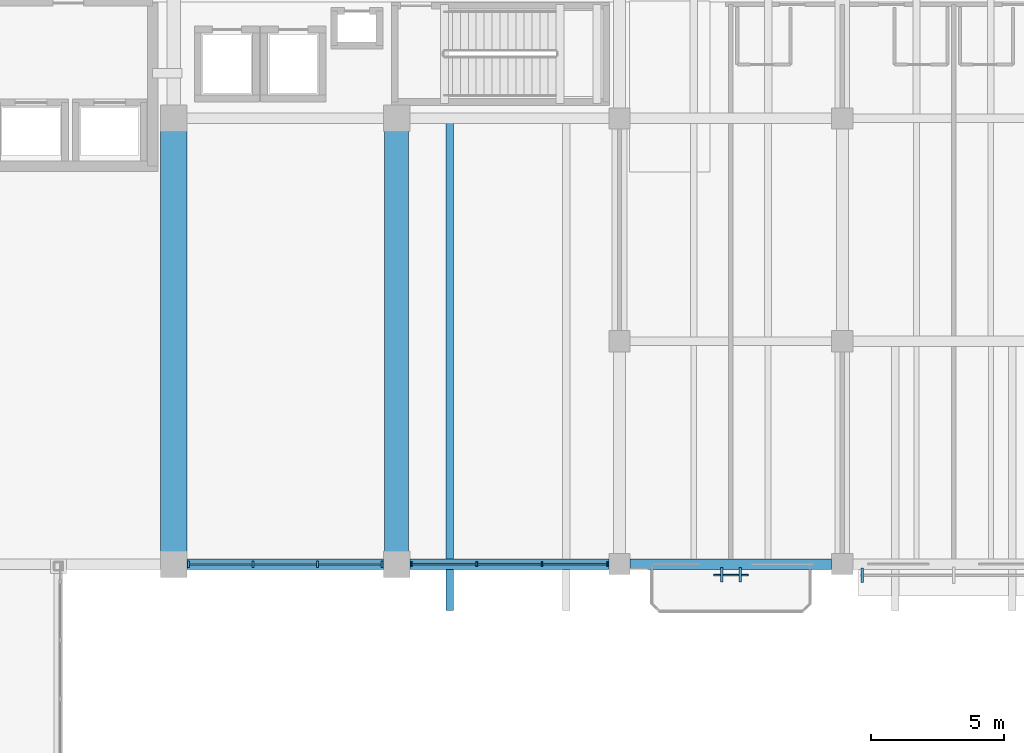
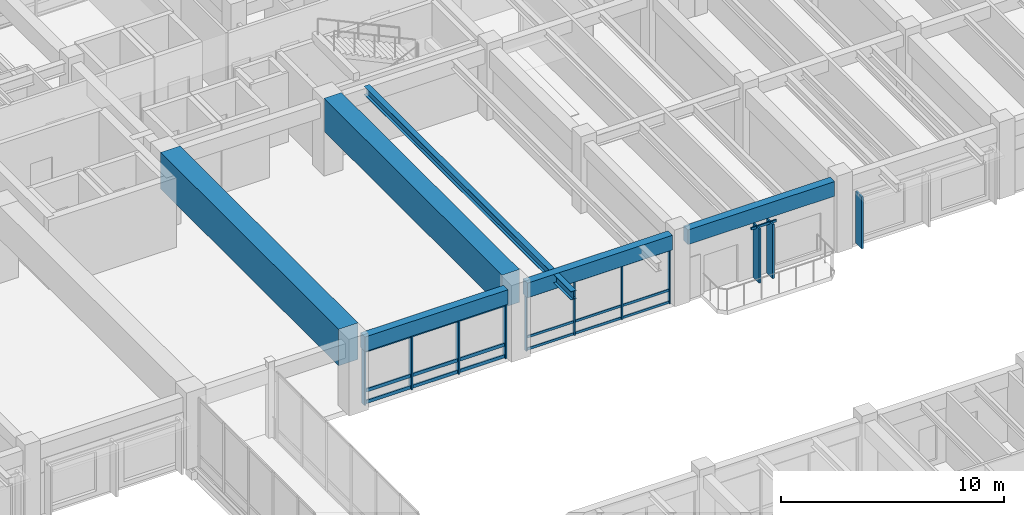
# One storey, part 42 of 132: 30 members, 6 beams, 4 elements without a shape of their own.
"""IFC4 building model written with IfcOpenShell, lengths in metres."""

from ifc_helpers import new_model, si_unit, direction, frame, origin, origin_2d, place, context, subcontext, project, spatial, rectangle, i_section, extrude, material, material_profile, profile_set, type_object, element, aggregate, save


model = new_model("IFC4")

# Units and contexts
model_context = context("Model", 3, precision=1e-05, world=origin(), true_north=direction((0.0, 1.0)))
body_context = subcontext(model_context, "Body", "Model", "MODEL_VIEW")
ifc_project = project(units=[si_unit("LENGTHUNIT", "METRE"), si_unit("AREAUNIT", "SQUARE_METRE"), si_unit("VOLUMEUNIT", "CUBIC_METRE"), si_unit("PLANEANGLEUNIT", "RADIAN"), si_unit("MASSUNIT", "GRAM", prefix="KILO")], contexts=[model_context])

# Site, building, storey
site_placement = place(None, origin())
site = spatial("IfcSite", under=ifc_project, at=site_placement, CompositionType="ELEMENT")
building_placement = place(site_placement, origin())
building = spatial("IfcBuilding", under=site, at=building_placement, Name="Cumbredor Promenade Congress Hotel", CompositionType="ELEMENT")
storey_placement = place(building_placement, frame((0.0, 0.0, 7.56005859375)))
storey = spatial("IfcBuildingStorey", under=building, at=storey_placement, Name="L02", CompositionType="ELEMENT", Elevation=7.56005859375)

# Curtain wall, members
ifc_material_1 = material(Name="Thermally broken anodized aluminium and low-E glass", Category="aluminium")
curtain_wall_type_1 = type_object("IfcCurtainWallType", Name="Unitised Bronze Curtain Wall CW-01", PredefinedType="NOTDEFINED", material=ifc_material_1)
curtain_wall_1_placement = place(storey_placement, origin())
curtain_wall_1 = element("IfcCurtainWall", 1, at=curtain_wall_1_placement, inside=storey, type_object=curtain_wall_type_1, Name="L02 Stepped Congress Hotel Wing South Curtain Wall 6", PredefinedType="NOTDEFINED")
ifc_material_2 = material(Name="Thermally broken anodized aluminium", Category="aluminium")
ifc_material_profile_1 = material_profile(ifc_material_2, rectangle(XDim=0.06494140625, YDim=0.159912109375, at=origin_2d()), Name="ALU MULLION 65x160")
ifc_profile_set_1 = profile_set([ifc_material_profile_1], Name="Thermally broken anodized aluminium")
member_type_1 = type_object("IfcMemberType", Name="Curtain Wall Mullion ML-01", PredefinedType="MULLION", material=ifc_profile_set_1)
member_1_placement = place(storey_placement, frame((42.554931640625, 84.0, -0.008056640625), z_axis=(0.0, 0.0, 1.0), x_axis=(1.0, 0.0, 0.0)))
member_1 = element("IfcMember", 2, at=member_1_placement, type_object=member_type_1, Name="L02 Stepped Congress Hotel Wing South Curtain Wall 6 Mullion 1", PredefinedType="MULLION", context=body_context, shape_type="SweptSolid", body=[
    extrude(rectangle(XDim=0.06494140625, YDim=0.159912109375, at=origin_2d()), origin(), (0.0, 0.0, 1.0), 3.0009765625),
])
member_2_placement = place(storey_placement, frame((45.018310546875, 84.0, -0.008056640625), z_axis=(0.0, 0.0, 1.0), x_axis=(1.0, 0.0, 0.0)))
member_2 = element("IfcMember", 3, at=member_2_placement, type_object=member_type_1, Name="L02 Stepped Congress Hotel Wing South Curtain Wall 6 Mullion 2", PredefinedType="MULLION", context=body_context, shape_type="SweptSolid", body=[
    extrude(rectangle(XDim=0.06494140625, YDim=0.159912109375, at=origin_2d()), origin(), (0.0, 0.0, 1.0), 3.0009765625),
])
member_3_placement = place(storey_placement, frame((47.481689453125, 84.0, -0.008056640625), z_axis=(0.0, 0.0, 1.0), x_axis=(1.0, 0.0, 0.0)))
member_3 = element("IfcMember", 4, at=member_3_placement, type_object=member_type_1, Name="L02 Stepped Congress Hotel Wing South Curtain Wall 6 Mullion 3", PredefinedType="MULLION", context=body_context, shape_type="SweptSolid", body=[
    extrude(rectangle(XDim=0.06494140625, YDim=0.159912109375, at=origin_2d()), origin(), (0.0, 0.0, 1.0), 3.0009765625),
])
member_4_placement = place(storey_placement, frame((49.945068359375, 84.0, -0.008056640625), z_axis=(0.0, 0.0, 1.0), x_axis=(1.0, 0.0, 0.0)))
member_4 = element("IfcMember", 5, at=member_4_placement, type_object=member_type_1, Name="L02 Stepped Congress Hotel Wing South Curtain Wall 6 Mullion 4", PredefinedType="MULLION", context=body_context, shape_type="SweptSolid", body=[
    extrude(rectangle(XDim=0.06494140625, YDim=0.159912109375, at=origin_2d()), origin(), (0.0, 0.0, 1.0), 3.0009765625),
])

curtain_wall_2_placement = place(storey_placement, origin())
curtain_wall_2 = element("IfcCurtainWall", 6, at=curtain_wall_2_placement, inside=storey, type_object=curtain_wall_type_1, Name="L02 Stepped Congress Hotel Wing South Curtain Wall 5", PredefinedType="NOTDEFINED")
ifc_material_profile_2 = material_profile(ifc_material_2, rectangle(XDim=0.080078125, YDim=0.239990234375, at=origin_2d()), Name="ALU MULLION 80x240")
ifc_profile_set_2 = profile_set([ifc_material_profile_2], Name="Thermally broken anodized aluminium")
member_type_2 = type_object("IfcMemberType", Name="Curtain Wall Mullion ML-03", PredefinedType="MULLION", material=ifc_profile_set_2)
member_5_placement = place(storey_placement, frame((34.155029296875, 84.0, -0.008056640625), z_axis=(0.0, 0.0, 1.0), x_axis=(1.0, 0.0, 0.0)))
member_5 = element("IfcMember", 7, at=member_5_placement, type_object=member_type_2, Name="L02 Stepped Congress Hotel Wing South Curtain Wall 5 Mullion 1", PredefinedType="MULLION", context=body_context, shape_type="SweptSolid", body=[
    extrude(rectangle(XDim=0.080078125, YDim=0.239990234375, at=origin_2d()), origin(), (0.0, 0.0, 1.0), 3.0009765625),
])
member_6_placement = place(storey_placement, frame((36.5849609375, 84.0, -0.008056640625), z_axis=(0.0, 0.0, 1.0), x_axis=(1.0, 0.0, 0.0)))
member_6 = element("IfcMember", 8, at=member_6_placement, type_object=member_type_2, Name="L02 Stepped Congress Hotel Wing South Curtain Wall 5 Mullion 2", PredefinedType="MULLION", context=body_context, shape_type="SweptSolid", body=[
    extrude(rectangle(XDim=0.080078125, YDim=0.239990234375, at=origin_2d()), origin(), (0.0, 0.0, 1.0), 3.0009765625),
])
member_7_placement = place(storey_placement, frame((39.014892578125, 84.0, -0.008056640625), z_axis=(0.0, 0.0, 1.0), x_axis=(1.0, 0.0, 0.0)))
member_7 = element("IfcMember", 9, at=member_7_placement, type_object=member_type_2, Name="L02 Stepped Congress Hotel Wing South Curtain Wall 5 Mullion 3", PredefinedType="MULLION", context=body_context, shape_type="SweptSolid", body=[
    extrude(rectangle(XDim=0.080078125, YDim=0.239990234375, at=origin_2d()), origin(), (0.0, 0.0, 1.0), 3.0009765625),
])
member_8_placement = place(storey_placement, frame((41.445068359375, 84.0, -0.008056640625), z_axis=(0.0, 0.0, 1.0), x_axis=(1.0, 0.0, 0.0)))
member_8 = element("IfcMember", 10, at=member_8_placement, type_object=member_type_2, Name="L02 Stepped Congress Hotel Wing South Curtain Wall 5 Mullion 4", PredefinedType="MULLION", context=body_context, shape_type="SweptSolid", body=[
    extrude(rectangle(XDim=0.080078125, YDim=0.239990234375, at=origin_2d()), origin(), (0.0, 0.0, 1.0), 3.0009765625),
])

# Member
ifc_material_profile_3 = material_profile(ifc_material_2, rectangle(XDim=0.06494140625, YDim=0.1298828125, at=origin_2d()), Name="ALU TRANSOM 65x130")
ifc_profile_set_3 = profile_set([ifc_material_profile_3], Name="Thermally broken anodized aluminium")
member_type_3 = type_object("IfcMemberType", Name="Curtain Wall Transom TR-01", PredefinedType="USERDEFINED", material=ifc_profile_set_3)
member_9_placement = place(storey_placement, frame((42.58740234375, 84.0, 0.06005859375), z_axis=(1.0, 0.0, 0.0), x_axis=(0.0, 1.0, 0.0)))
member_9 = element("IfcMember", 11, at=member_9_placement, type_object=member_type_3, Name="L02 Stepped Congress Hotel Wing South Curtain Wall 6 Transom 1.1", ObjectType="TRANSOM", PredefinedType="USERDEFINED", context=body_context, shape_type="SweptSolid", body=[
    extrude(rectangle(XDim=0.06494140625, YDim=0.1298828125, at=origin_2d()), origin(), (0.0, 0.0, 1.0), 2.3984375),
])

member_10_placement = place(storey_placement, frame((42.58740234375, 84.0, 0.719970703125), z_axis=(1.0, 0.0, 0.0), x_axis=(0.0, 1.0, 0.0)))
member_10 = element("IfcMember", 12, at=member_10_placement, type_object=member_type_3, Name="L02 Stepped Congress Hotel Wing South Curtain Wall 6 Transom 1.2", ObjectType="TRANSOM", PredefinedType="USERDEFINED", context=body_context, shape_type="SweptSolid", body=[
    extrude(rectangle(XDim=0.06494140625, YDim=0.1298828125, at=origin_2d()), origin(), (0.0, 0.0, 1.0), 2.3984375),
])

member_11_placement = place(storey_placement, frame((42.58740234375, 84.0, 2.919921875), z_axis=(1.0, 0.0, 0.0), x_axis=(0.0, 1.0, 0.0)))
member_11 = element("IfcMember", 13, at=member_11_placement, type_object=member_type_3, Name="L02 Stepped Congress Hotel Wing South Curtain Wall 6 Transom 1.3", ObjectType="TRANSOM", PredefinedType="USERDEFINED", context=body_context, shape_type="SweptSolid", body=[
    extrude(rectangle(XDim=0.06494140625, YDim=0.1298828125, at=origin_2d()), origin(), (0.0, 0.0, 1.0), 2.3984375),
])

member_12_placement = place(storey_placement, frame((45.05078125, 84.0, 0.06005859375), z_axis=(1.0, 0.0, 0.0), x_axis=(0.0, 1.0, 0.0)))
member_12 = element("IfcMember", 14, at=member_12_placement, type_object=member_type_3, Name="L02 Stepped Congress Hotel Wing South Curtain Wall 6 Transom 2.1", ObjectType="TRANSOM", PredefinedType="USERDEFINED", context=body_context, shape_type="SweptSolid", body=[
    extrude(rectangle(XDim=0.06494140625, YDim=0.1298828125, at=origin_2d()), origin(), (0.0, 0.0, 1.0), 2.3984375),
])

member_13_placement = place(storey_placement, frame((45.05078125, 84.0, 0.719970703125), z_axis=(1.0, 0.0, 0.0), x_axis=(0.0, 1.0, 0.0)))
member_13 = element("IfcMember", 15, at=member_13_placement, type_object=member_type_3, Name="L02 Stepped Congress Hotel Wing South Curtain Wall 6 Transom 2.2", ObjectType="TRANSOM", PredefinedType="USERDEFINED", context=body_context, shape_type="SweptSolid", body=[
    extrude(rectangle(XDim=0.06494140625, YDim=0.1298828125, at=origin_2d()), origin(), (0.0, 0.0, 1.0), 2.3984375),
])

member_14_placement = place(storey_placement, frame((45.05078125, 84.0, 2.919921875), z_axis=(1.0, 0.0, 0.0), x_axis=(0.0, 1.0, 0.0)))
member_14 = element("IfcMember", 16, at=member_14_placement, type_object=member_type_3, Name="L02 Stepped Congress Hotel Wing South Curtain Wall 6 Transom 2.3", ObjectType="TRANSOM", PredefinedType="USERDEFINED", context=body_context, shape_type="SweptSolid", body=[
    extrude(rectangle(XDim=0.06494140625, YDim=0.1298828125, at=origin_2d()), origin(), (0.0, 0.0, 1.0), 2.3984375),
])

member_15_placement = place(storey_placement, frame((47.51416015625, 84.0, 0.06005859375), z_axis=(1.0, 0.0, 0.0), x_axis=(0.0, 1.0, 0.0)))
member_15 = element("IfcMember", 17, at=member_15_placement, type_object=member_type_3, Name="L02 Stepped Congress Hotel Wing South Curtain Wall 6 Transom 3.1", ObjectType="TRANSOM", PredefinedType="USERDEFINED", context=body_context, shape_type="SweptSolid", body=[
    extrude(rectangle(XDim=0.06494140625, YDim=0.1298828125, at=origin_2d()), origin(), (0.0, 0.0, 1.0), 2.3984375),
])

member_16_placement = place(storey_placement, frame((47.51416015625, 84.0, 0.719970703125), z_axis=(1.0, 0.0, 0.0), x_axis=(0.0, 1.0, 0.0)))
member_16 = element("IfcMember", 18, at=member_16_placement, type_object=member_type_3, Name="L02 Stepped Congress Hotel Wing South Curtain Wall 6 Transom 3.2", ObjectType="TRANSOM", PredefinedType="USERDEFINED", context=body_context, shape_type="SweptSolid", body=[
    extrude(rectangle(XDim=0.06494140625, YDim=0.1298828125, at=origin_2d()), origin(), (0.0, 0.0, 1.0), 2.3984375),
])

member_17_placement = place(storey_placement, frame((47.51416015625, 84.0, 2.919921875), z_axis=(1.0, 0.0, 0.0), x_axis=(0.0, 1.0, 0.0)))
member_17 = element("IfcMember", 19, at=member_17_placement, type_object=member_type_3, Name="L02 Stepped Congress Hotel Wing South Curtain Wall 6 Transom 3.3", ObjectType="TRANSOM", PredefinedType="USERDEFINED", context=body_context, shape_type="SweptSolid", body=[
    extrude(rectangle(XDim=0.06494140625, YDim=0.1298828125, at=origin_2d()), origin(), (0.0, 0.0, 1.0), 2.3984375),
])

aggregate(curtain_wall_1, [member_1, member_2, member_3, member_4, member_9, member_10, member_11, member_12, member_13, member_14, member_15, member_16, member_17])

# Curtain wall, member
curtain_wall_type_2 = type_object("IfcCurtainWallType", Name="Solar Brise-Soleil Screen Assembly CW-07", PredefinedType="NOTDEFINED", material=ifc_material_1)
curtain_wall_3_placement = place(storey_placement, origin())
curtain_wall_3 = element("IfcCurtainWall", 20, at=curtain_wall_3_placement, inside=storey, type_object=curtain_wall_type_2, Name="L02 Veranda Solar Brise-Soleil Screen 460", PredefinedType="NOTDEFINED")
member_18_placement = place(storey_placement, frame((53.949951171875, 83.590087890625, 2.905029296875), z_axis=(1.0, 0.0, 0.0), x_axis=(0.0, 1.0, 0.0)))
member_18 = element("IfcMember", 21, at=member_18_placement, type_object=member_type_3, Name="L02 Brise-Soleil Header Tie 0462", ObjectType="TRANSOM", PredefinedType="USERDEFINED", context=body_context, shape_type="SweptSolid", body=[
    extrude(rectangle(XDim=0.06494140625, YDim=0.1298828125, at=origin_2d()), origin(), (0.0, 0.0, 1.0), 1.300048828125),
])

# Member
ifc_material_profile_4 = material_profile(ifc_material_2, rectangle(XDim=0.080078125, YDim=0.179931640625, at=origin_2d()), Name="ALU TRANSOM 80x180")
ifc_profile_set_4 = profile_set([ifc_material_profile_4], Name="Thermally broken anodized aluminium")
member_type_4 = type_object("IfcMemberType", Name="Curtain Wall Transom TR-03", PredefinedType="USERDEFINED", material=ifc_profile_set_4)
member_19_placement = place(storey_placement, frame((34.195068359375, 84.0, 0.08984375), z_axis=(1.0, 0.0, 0.0), x_axis=(0.0, 1.0, 0.0)))
member_19 = element("IfcMember", 22, at=member_19_placement, type_object=member_type_4, Name="L02 Stepped Congress Hotel Wing South Curtain Wall 5 Transom 1.1", ObjectType="TRANSOM", PredefinedType="USERDEFINED", context=body_context, shape_type="SweptSolid", body=[
    extrude(rectangle(XDim=0.080078125, YDim=0.179931640625, at=origin_2d()), origin(), (0.0, 0.0, 1.0), 2.349853515625),
])

member_20_placement = place(storey_placement, frame((34.195068359375, 84.0, 0.719970703125), z_axis=(1.0, 0.0, 0.0), x_axis=(0.0, 1.0, 0.0)))
member_20 = element("IfcMember", 23, at=member_20_placement, type_object=member_type_4, Name="L02 Stepped Congress Hotel Wing South Curtain Wall 5 Transom 1.2", ObjectType="TRANSOM", PredefinedType="USERDEFINED", context=body_context, shape_type="SweptSolid", body=[
    extrude(rectangle(XDim=0.080078125, YDim=0.179931640625, at=origin_2d()), origin(), (0.0, 0.0, 1.0), 2.349853515625),
])

member_21_placement = place(storey_placement, frame((34.195068359375, 84.0, 2.89990234375), z_axis=(1.0, 0.0, 0.0), x_axis=(0.0, 1.0, 0.0)))
member_21 = element("IfcMember", 24, at=member_21_placement, type_object=member_type_4, Name="L02 Stepped Congress Hotel Wing South Curtain Wall 5 Transom 1.3", ObjectType="TRANSOM", PredefinedType="USERDEFINED", context=body_context, shape_type="SweptSolid", body=[
    extrude(rectangle(XDim=0.080078125, YDim=0.179931640625, at=origin_2d()), origin(), (0.0, 0.0, 1.0), 2.349853515625),
])

member_22_placement = place(storey_placement, frame((36.625, 84.0, 0.08984375), z_axis=(1.0, 0.0, 0.0), x_axis=(0.0, 1.0, 0.0)))
member_22 = element("IfcMember", 25, at=member_22_placement, type_object=member_type_4, Name="L02 Stepped Congress Hotel Wing South Curtain Wall 5 Transom 2.1", ObjectType="TRANSOM", PredefinedType="USERDEFINED", context=body_context, shape_type="SweptSolid", body=[
    extrude(rectangle(XDim=0.080078125, YDim=0.179931640625, at=origin_2d()), origin(), (0.0, 0.0, 1.0), 2.35009765625),
])

member_23_placement = place(storey_placement, frame((36.625, 84.0, 0.719970703125), z_axis=(1.0, 0.0, 0.0), x_axis=(0.0, 1.0, 0.0)))
member_23 = element("IfcMember", 26, at=member_23_placement, type_object=member_type_4, Name="L02 Stepped Congress Hotel Wing South Curtain Wall 5 Transom 2.2", ObjectType="TRANSOM", PredefinedType="USERDEFINED", context=body_context, shape_type="SweptSolid", body=[
    extrude(rectangle(XDim=0.080078125, YDim=0.179931640625, at=origin_2d()), origin(), (0.0, 0.0, 1.0), 2.35009765625),
])

member_24_placement = place(storey_placement, frame((36.625, 84.0, 2.89990234375), z_axis=(1.0, 0.0, 0.0), x_axis=(0.0, 1.0, 0.0)))
member_24 = element("IfcMember", 27, at=member_24_placement, type_object=member_type_4, Name="L02 Stepped Congress Hotel Wing South Curtain Wall 5 Transom 2.3", ObjectType="TRANSOM", PredefinedType="USERDEFINED", context=body_context, shape_type="SweptSolid", body=[
    extrude(rectangle(XDim=0.080078125, YDim=0.179931640625, at=origin_2d()), origin(), (0.0, 0.0, 1.0), 2.35009765625),
])

member_25_placement = place(storey_placement, frame((39.054931640625, 84.0, 0.08984375), z_axis=(1.0, 0.0, 0.0), x_axis=(0.0, 1.0, 0.0)))
member_25 = element("IfcMember", 28, at=member_25_placement, type_object=member_type_4, Name="L02 Stepped Congress Hotel Wing South Curtain Wall 5 Transom 3.1", ObjectType="TRANSOM", PredefinedType="USERDEFINED", context=body_context, shape_type="SweptSolid", body=[
    extrude(rectangle(XDim=0.080078125, YDim=0.179931640625, at=origin_2d()), origin(), (0.0, 0.0, 1.0), 2.35009765625),
])

member_26_placement = place(storey_placement, frame((39.054931640625, 84.0, 0.719970703125), z_axis=(1.0, 0.0, 0.0), x_axis=(0.0, 1.0, 0.0)))
member_26 = element("IfcMember", 29, at=member_26_placement, type_object=member_type_4, Name="L02 Stepped Congress Hotel Wing South Curtain Wall 5 Transom 3.2", ObjectType="TRANSOM", PredefinedType="USERDEFINED", context=body_context, shape_type="SweptSolid", body=[
    extrude(rectangle(XDim=0.080078125, YDim=0.179931640625, at=origin_2d()), origin(), (0.0, 0.0, 1.0), 2.35009765625),
])

member_27_placement = place(storey_placement, frame((39.054931640625, 84.0, 2.89990234375), z_axis=(1.0, 0.0, 0.0), x_axis=(0.0, 1.0, 0.0)))
member_27 = element("IfcMember", 30, at=member_27_placement, type_object=member_type_4, Name="L02 Stepped Congress Hotel Wing South Curtain Wall 5 Transom 3.3", ObjectType="TRANSOM", PredefinedType="USERDEFINED", context=body_context, shape_type="SweptSolid", body=[
    extrude(rectangle(XDim=0.080078125, YDim=0.179931640625, at=origin_2d()), origin(), (0.0, 0.0, 1.0), 2.35009765625),
])

aggregate(curtain_wall_2, [member_5, member_6, member_7, member_8, member_19, member_20, member_21, member_22, member_23, member_24, member_25, member_26, member_27])

# Beams
ifc_material_3 = material(Name="Steel ASTM A992 Grade 50", Category="steel")
ifc_material_profile_5 = material_profile(ifc_material_3, i_section(OverallWidth=0.280029296875, OverallDepth=0.462890625, WebThickness=0.0107421875, FlangeThickness=0.017333984375, at=origin_2d()), Name="W18X76")
ifc_profile_set_5 = profile_set([ifc_material_profile_5], Name="Steel ASTM A992 Grade 50")
beam_type_1 = type_object("IfcBeamType", Name="JST-W18X76", PredefinedType="JOIST", material=ifc_profile_set_5)
beam_1_placement = place(storey_placement, frame((44.0, 82.25, 3.568359375), z_axis=(0.0, 1.0, 0.0), x_axis=(-1.0, 0.0, 0.0)))
element("IfcBeam", 31, at=beam_1_placement, inside=storey, type_object=beam_type_1, Name="L03 Balcony Back-Spanned Outrigger Beam 017.1", PredefinedType="JOIST", context=body_context, shape_type="SweptSolid", body=[
    extrude(i_section(OverallWidth=0.280029296875, OverallDepth=0.462890625, WebThickness=0.0107421875, FlangeThickness=0.017333984375, at=origin_2d()), origin(), (0.0, 0.0, 1.0), 18.550048828125),
])
ifc_material_4 = material(Name="Concrete C40/50", Category="concrete")
ifc_material_profile_6 = material_profile(ifc_material_4, rectangle(XDim=0.39990234375, YDim=0.800048828125, at=origin_2d()), Name="RC SPANDREL 400x800")
ifc_profile_set_6 = profile_set([ifc_material_profile_6], Name="Concrete C40/50")
beam_type_2 = type_object("IfcBeamType", Name="SP-RC-400x800", PredefinedType="SPANDREL", material=ifc_profile_set_6)
beam_2_placement = place(storey_placement, frame((34.10009765625, 84.0, 3.39990234375), z_axis=(1.0, 0.0, 0.0), x_axis=(0.0, 1.0, 0.0)))
element("IfcBeam", 32, at=beam_2_placement, inside=storey, type_object=beam_type_2, Name="L03 X-Grid Beam 064", PredefinedType="SPANDREL", context=body_context, shape_type="SweptSolid", body=[
    extrude(rectangle(XDim=0.39990234375, YDim=0.800048828125, at=origin_2d()), origin(), (0.0, 0.0, 1.0), 7.39990234375),
])
beam_3_placement = place(storey_placement, frame((42.5, 84.0, 3.39990234375), z_axis=(1.0, 0.0, 0.0), x_axis=(0.0, 1.0, 0.0)))
element("IfcBeam", 33, at=beam_3_placement, inside=storey, type_object=beam_type_2, Name="L03 X-Grid Beam 074", PredefinedType="SPANDREL", context=body_context, shape_type="SweptSolid", body=[
    extrude(rectangle(XDim=0.39990234375, YDim=0.800048828125, at=origin_2d()), origin(), (0.0, 0.0, 1.0), 7.5),
])
beam_4_placement = place(storey_placement, frame((50.800048828125, 84.0, 3.39990234375), z_axis=(1.0, 0.0, 0.0), x_axis=(0.0, 1.0, 0.0)))
element("IfcBeam", 34, at=beam_4_placement, inside=storey, type_object=beam_type_2, Name="L03 X-Grid Beam 084", PredefinedType="SPANDREL", context=body_context, shape_type="SweptSolid", body=[
    extrude(rectangle(XDim=0.39990234375, YDim=0.800048828125, at=origin_2d()), origin(), (0.0, 0.0, 1.0), 7.599853515625),
])
ifc_material_5 = material(Name="Concrete C50/60", Category="concrete")
ifc_material_profile_7 = material_profile(ifc_material_5, rectangle(XDim=1.0, YDim=2.0, at=origin_2d()), Name="RC TRANSFER 1000x2000")
ifc_profile_set_7 = profile_set([ifc_material_profile_7], Name="Concrete C50/60")
beam_type_3 = type_object("IfcBeamType", Name="Transfer Girder TG-02 RC 1000x2000", PredefinedType="BEAM", material=ifc_profile_set_7)
beam_5_placement = place(storey_placement, frame((33.60009765625, 84.419921875, 3.199951171875), z_axis=(0.0, 1.0, 0.0), x_axis=(-1.0, 0.0, 0.0)))
element("IfcBeam", 35, at=beam_5_placement, inside=storey, type_object=beam_type_3, Name="Hotel Lobby Transfer Girder TG-02", PredefinedType="BEAM", context=body_context, shape_type="SweptSolid", body=[
    extrude(rectangle(XDim=1.0, YDim=2.0, at=origin_2d()), origin(), (0.0, 0.0, 1.0), 15.9599609375),
])
ifc_material_profile_8 = material_profile(ifc_material_5, rectangle(XDim=0.89990234375, YDim=1.800048828125, at=origin_2d()), Name="RC TRANSFER 900x1800")
ifc_profile_set_8 = profile_set([ifc_material_profile_8], Name="Concrete C50/60")
beam_type_4 = type_object("IfcBeamType", Name="Transfer Girder TG-03 RC 900x1800", PredefinedType="BEAM", material=ifc_profile_set_8)
beam_6_placement = place(storey_placement, frame((42.0, 84.419921875, 3.300048828125), z_axis=(0.0, 1.0, 0.0), x_axis=(-1.0, 0.0, 0.0)))
element("IfcBeam", 36, at=beam_6_placement, inside=storey, type_object=beam_type_4, Name="Hotel Lobby Transfer Girder TG-03", PredefinedType="BEAM", context=body_context, shape_type="SweptSolid", body=[
    extrude(rectangle(XDim=0.89990234375, YDim=1.800048828125, at=origin_2d()), origin(), (0.0, 0.0, 1.0), 15.9599609375),
])

# Member
ifc_material_6 = material(Name="Kiln-dried tropical hardwood", Category="wood")
ifc_material_profile_9 = material_profile(ifc_material_6, rectangle(XDim=0.090087890625, YDim=0.550048828125, at=origin_2d()), Name="ARCH FIN 90x550")
ifc_profile_set_9 = profile_set([ifc_material_profile_9], Name="Kiln-dried tropical hardwood")
member_type_5 = type_object("IfcMemberType", Name="Vertical Hardwood Brise-Soleil Fin BSF-01 90x550", PredefinedType="USERDEFINED", material=ifc_profile_set_9)
member_28_placement = place(storey_placement, frame((54.25, 83.590087890625, -0.010009765625), z_axis=(0.0, 0.0, 1.0), x_axis=(1.0, 0.0, 0.0)))
member_28 = element("IfcMember", 37, at=member_28_placement, type_object=member_type_5, Name="L02 Vertical Hardwood Brise-Soleil Fin 0461", ObjectType="SOLAR FIN", PredefinedType="USERDEFINED", context=body_context, shape_type="SweptSolid", body=[
    extrude(rectangle(XDim=0.090087890625, YDim=0.550048828125, at=origin_2d()), origin(), (0.0, 0.0, 1.0), 2.974853515625),
])

member_29_placement = place(storey_placement, frame((54.949951171875, 83.590087890625, -0.010009765625), z_axis=(0.0, 0.0, 1.0), x_axis=(1.0, 0.0, 0.0)))
member_29 = element("IfcMember", 38, at=member_29_placement, type_object=member_type_5, Name="L02 Vertical Hardwood Brise-Soleil Fin 0462", ObjectType="SOLAR FIN", PredefinedType="USERDEFINED", context=body_context, shape_type="SweptSolid", body=[
    extrude(rectangle(XDim=0.090087890625, YDim=0.550048828125, at=origin_2d()), origin(), (0.0, 0.0, 1.0), 2.974853515625),
])

aggregate(curtain_wall_3, [member_28, member_29, member_18])

# Curtain wall, member
curtain_wall_4_placement = place(storey_placement, origin())
curtain_wall_4 = element("IfcCurtainWall", 39, at=curtain_wall_4_placement, inside=storey, type_object=curtain_wall_type_2, Name="L02 Hospitality Brise-Soleil Screen 041", PredefinedType="NOTDEFINED")
member_30_placement = place(storey_placement, frame((59.551025390625, 83.577392578125, 0.02001953125), z_axis=(0.0, 0.0, 1.0), x_axis=(1.0, 0.0, 0.0)))
member_30 = element("IfcMember", 40, at=member_30_placement, type_object=member_type_5, Name="L02 Vertical Brise-Soleil Fin 0463", ObjectType="SOLAR FIN", PredefinedType="USERDEFINED", context=body_context, shape_type="SweptSolid", body=[
    extrude(rectangle(XDim=0.090087890625, YDim=0.550048828125, at=origin_2d()), origin(), (0.0, 0.0, 1.0), 2.844970703125),
])
aggregate(curtain_wall_4, [member_30])

save(model, "model.ifc")
